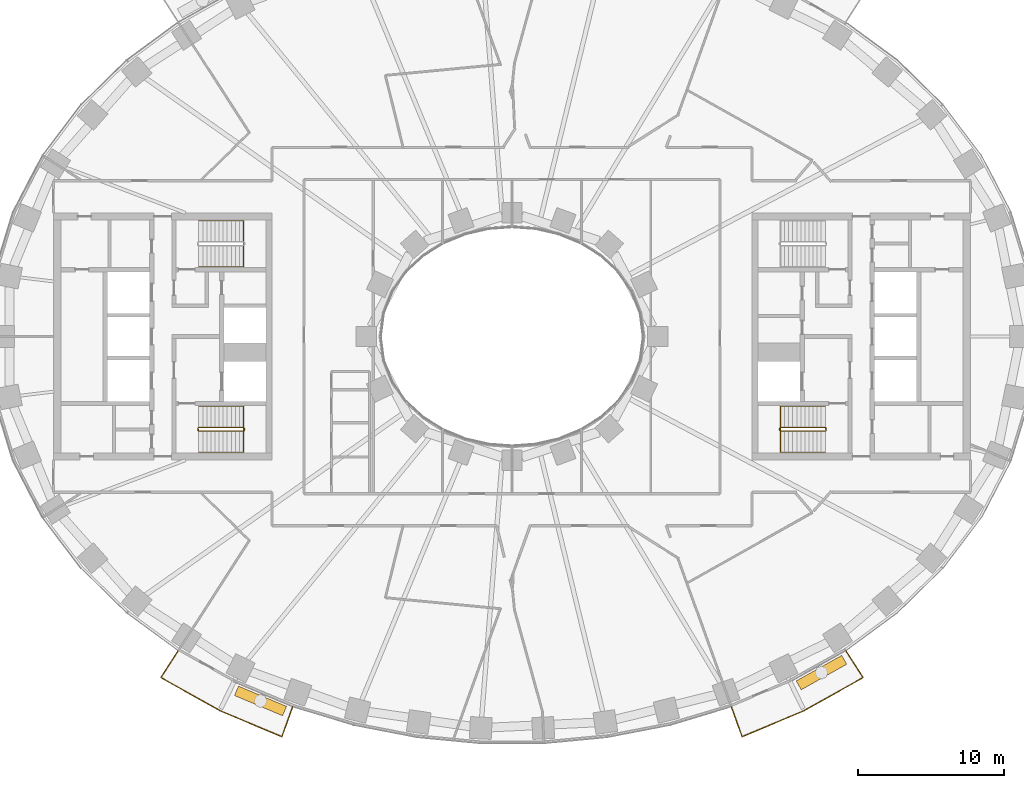
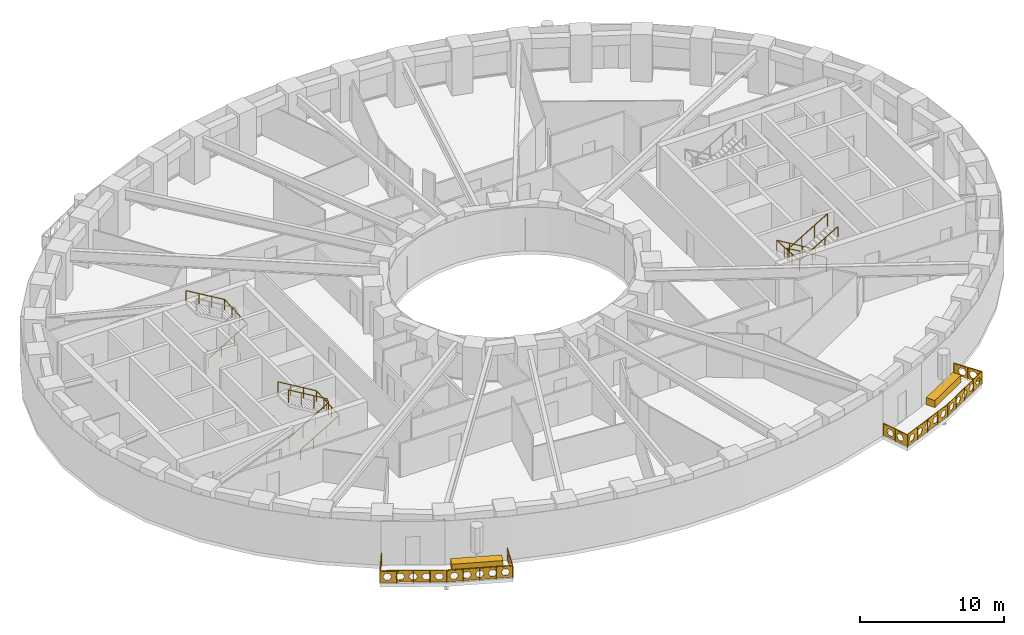
# One storey, part 13 of 15: 7 railings, 2 coverings.
"""IFC4 building model written with IfcOpenShell, lengths in metres."""

from ifc_helpers import new_model, si_unit, direction, frame, origin, origin_2d, place, context, subcontext, project, spatial, polyline, rectangle, outline, extrude, material, type_object, element, save


model = new_model("IFC4")

# Units and contexts
model_context = context("Model", 3, precision=1e-05, world=origin(), true_north=direction((0.0, 1.0)))
body_context = subcontext(model_context, "Body", "Model", "MODEL_VIEW")
ifc_project = project(units=[si_unit("LENGTHUNIT", "METRE"), si_unit("AREAUNIT", "SQUARE_METRE"), si_unit("VOLUMEUNIT", "CUBIC_METRE"), si_unit("PLANEANGLEUNIT", "RADIAN"), si_unit("MASSUNIT", "GRAM", prefix="KILO")], contexts=[model_context])

# Site, building, storey
site_placement = place(None, origin())
site = spatial("IfcSite", under=ifc_project, at=site_placement, CompositionType="ELEMENT")
building_placement = place(site_placement, origin())
building = spatial("IfcBuilding", under=site, at=building_placement, Name="Noorbagh Ring Tower", CompositionType="ELEMENT")
storey_placement = place(building_placement, frame((0.0, 0.0, 50.5)))
storey = spatial("IfcBuildingStorey", under=building, at=storey_placement, Name="L10", CompositionType="ELEMENT", Elevation=50.5)

# Railings
ifc_material_1 = material(Name="Stainless steel", Category="steel")
railing_type_1 = type_object("IfcRailingType", Name="CORE-STAIR-GUARD", PredefinedType="GUARDRAIL", material=ifc_material_1)
railing_1_placement = place(storey_placement, frame((-21.580078125, -6.449951171875, 0.0)))
element("IfcRailing", 1, at=railing_1_placement, inside=storey, type_object=railing_type_1, Name="L10 ST2 stair guard", PredefinedType="GUARDRAIL", context=body_context, shape_type="SweptSolid", body=[
    extrude(rectangle(XDim=0.048095703125, YDim=0.048095703125, at=origin_2d()), frame((0.0, 0.0, 1.076171875), z_axis=(0.0, 1.0, 0.0), x_axis=(-1.0, 0.0, 0.0)), (0.0, 0.0, 1.0), 0.14990234375),
    extrude(rectangle(XDim=0.048095703125, YDim=0.048095703125, at=origin_2d()), frame((0.0, 0.14990234375, 1.076171875), z_axis=(0.188775798145, -0.754182335027, 0.628945707965), x_axis=(0.970072785993, 0.242814311512, 0.0)), (0.0, 0.0, 1.0), 0.26513671875),
    extrude(rectangle(XDim=0.048095703125, YDim=0.048095703125, at=origin_2d()), frame((0.050048828125, -0.050048828125, 1.24267578125), z_axis=(0.859308565015, 0.0, 0.511457515432), x_axis=(0.0, 1.0, 0.0)), (0.0, 0.0, 1.0), 3.58447265625),
    extrude(rectangle(XDim=0.048095703125, YDim=0.048095703125, at=origin_2d()), frame((3.130126953125, -0.050048828125, 3.076171875), z_axis=(0.707106781187, 0.707106781187, 0.0), x_axis=(-0.707106781187, 0.707106781187, 0.0)), (0.0, 0.0, 1.0), 0.07080078125),
    extrude(rectangle(XDim=0.048095703125, YDim=0.048095703125, at=origin_2d()), frame((3.18017578125, 0.0, 3.076171875), z_axis=(0.0, 1.0, 0.0), x_axis=(-1.0, 0.0, 0.0)), (0.0, 0.0, 1.0), 0.14990234375),
    extrude(rectangle(XDim=0.048095703125, YDim=0.048095703125, at=origin_2d()), frame((3.18017578125, 0.14990234375, 3.076171875), z_axis=(-0.27628659633, 0.27628659633, 0.920506074601), x_axis=(-0.707106781187, -0.707106781187, 0.0)), (0.0, 0.0, 1.0), 0.18115234375),
    extrude(rectangle(XDim=0.048095703125, YDim=0.048095703125, at=origin_2d()), frame((3.130126953125, 0.199951171875, 3.24267578125), z_axis=(-0.859308565015, 0.0, 0.511457515432), x_axis=(0.0, -1.0, 0.0)), (0.0, 0.0, 1.0), 3.58447265625),
    extrude(rectangle(XDim=0.0419921875, YDim=0.0419921875, at=origin_2d()), origin(), (0.0, 0.0, 1.0), 1.052001953125),
    extrude(rectangle(XDim=0.0419921875, YDim=0.0419921875, at=origin_2d()), frame((1.07666015625, -0.050048828125, 0.77783203125)), (0.0, 0.0, 1.0), 1.052001953125),
    extrude(rectangle(XDim=0.0419921875, YDim=0.0419921875, at=origin_2d()), frame((2.103515625, -0.050048828125, 1.388916015625)), (0.0, 0.0, 1.0), 1.052001953125),
    extrude(rectangle(XDim=0.0419921875, YDim=0.0419921875, at=origin_2d()), frame((3.130126953125, -0.050048828125, 2.0)), (0.0, 0.0, 1.0), 1.052001953125),
    extrude(rectangle(XDim=0.0419921875, YDim=0.0419921875, at=origin_2d()), frame((3.130126953125, 0.199951171875, 2.166748046875)), (0.0, 0.0, 1.0), 1.052001953125),
    extrude(rectangle(XDim=0.0419921875, YDim=0.0419921875, at=origin_2d()), frame((2.103515625, 0.199951171875, 2.77783203125)), (0.0, 0.0, 1.0), 1.052001953125),
    extrude(rectangle(XDim=0.0419921875, YDim=0.0419921875, at=origin_2d()), frame((1.07666015625, 0.199951171875, 3.388916015625)), (0.0, 0.0, 1.0), 1.052001953125),
    extrude(rectangle(XDim=0.0419921875, YDim=0.0419921875, at=origin_2d()), frame((0.050048828125, 0.199951171875, 4.0)), (0.0, 0.0, 1.0), 1.052001953125),
])
railing_2_placement = place(storey_placement, frame((21.580078125, -6.300048828125, 0.0)))
element("IfcRailing", 2, at=railing_2_placement, inside=storey, type_object=railing_type_1, Name="L10 ST4 stair guard", PredefinedType="GUARDRAIL", context=body_context, shape_type="SweptSolid", body=[
    extrude(rectangle(XDim=0.048095703125, YDim=0.048095703125, at=origin_2d()), frame((0.0, 0.0, 1.076171875), z_axis=(0.0, -1.0, 0.0), x_axis=(1.0, 0.0, 0.0)), (0.0, 0.0, 1.0), 0.14990234375),
    extrude(rectangle(XDim=0.048095703125, YDim=0.048095703125, at=origin_2d()), frame((0.0, -0.14990234375, 1.076171875), z_axis=(-0.188775798145, 0.754182335027, 0.628945707965), x_axis=(-0.970072785993, -0.242814311512, 0.0)), (0.0, 0.0, 1.0), 0.26513671875),
    extrude(rectangle(XDim=0.048095703125, YDim=0.048095703125, at=origin_2d()), frame((-0.050048828125, 0.050048828125, 1.24267578125), z_axis=(-0.859308565015, 0.0, 0.511457515432), x_axis=(0.0, -1.0, 0.0)), (0.0, 0.0, 1.0), 3.58447265625),
    extrude(rectangle(XDim=0.048095703125, YDim=0.048095703125, at=origin_2d()), frame((-3.130126953125, 0.050048828125, 3.076171875), z_axis=(-0.707106781187, -0.707106781187, 0.0), x_axis=(0.707106781187, -0.707106781187, 0.0)), (0.0, 0.0, 1.0), 0.07080078125),
    extrude(rectangle(XDim=0.048095703125, YDim=0.048095703125, at=origin_2d()), frame((-3.18017578125, 0.0, 3.076171875), z_axis=(0.0, -1.0, 0.0), x_axis=(1.0, 0.0, 0.0)), (0.0, 0.0, 1.0), 0.14990234375),
    extrude(rectangle(XDim=0.048095703125, YDim=0.048095703125, at=origin_2d()), frame((-3.18017578125, -0.14990234375, 3.076171875), z_axis=(0.27628659633, -0.27628659633, 0.920506074601), x_axis=(0.707106781187, 0.707106781187, 0.0)), (0.0, 0.0, 1.0), 0.18115234375),
    extrude(rectangle(XDim=0.048095703125, YDim=0.048095703125, at=origin_2d()), frame((-3.130126953125, -0.199951171875, 3.24267578125), z_axis=(0.859308565015, 0.0, 0.511457515432), x_axis=(0.0, 1.0, 0.0)), (0.0, 0.0, 1.0), 3.58447265625),
    extrude(rectangle(XDim=0.0419921875, YDim=0.0419921875, at=origin_2d()), origin(), (0.0, 0.0, 1.0), 1.052001953125),
    extrude(rectangle(XDim=0.0419921875, YDim=0.0419921875, at=origin_2d()), frame((-1.07666015625, 0.050048828125, 0.77783203125)), (0.0, 0.0, 1.0), 1.052001953125),
    extrude(rectangle(XDim=0.0419921875, YDim=0.0419921875, at=origin_2d()), frame((-2.103515625, 0.050048828125, 1.388916015625)), (0.0, 0.0, 1.0), 1.052001953125),
    extrude(rectangle(XDim=0.0419921875, YDim=0.0419921875, at=origin_2d()), frame((-3.130126953125, 0.050048828125, 2.0)), (0.0, 0.0, 1.0), 1.052001953125),
    extrude(rectangle(XDim=0.0419921875, YDim=0.0419921875, at=origin_2d()), frame((-3.130126953125, -0.199951171875, 2.166748046875)), (0.0, 0.0, 1.0), 1.052001953125),
    extrude(rectangle(XDim=0.0419921875, YDim=0.0419921875, at=origin_2d()), frame((-2.103515625, -0.199951171875, 2.77783203125)), (0.0, 0.0, 1.0), 1.052001953125),
    extrude(rectangle(XDim=0.0419921875, YDim=0.0419921875, at=origin_2d()), frame((-1.07666015625, -0.199951171875, 3.388916015625)), (0.0, 0.0, 1.0), 1.052001953125),
    extrude(rectangle(XDim=0.0419921875, YDim=0.0419921875, at=origin_2d()), frame((-0.050048828125, -0.199951171875, 4.0)), (0.0, 0.0, 1.0), 1.052001953125),
])
ifc_material_2 = material(Name="Stainless steel", Category="steel")
railing_type_2 = type_object("IfcRailingType", Name="CORE-STAIR-HANDRAIL", PredefinedType="HANDRAIL", material=ifc_material_2)
railing_3_placement = place(storey_placement, frame((-21.530029296875, 4.800048828125, 0.166748046875)))
element("IfcRailing", 3, at=railing_3_placement, inside=storey, type_object=railing_type_2, Name="L10 ST1 stair handrail", PredefinedType="HANDRAIL", context=body_context, shape_type="SweptSolid", body=[
    extrude(rectangle(XDim=0.048095703125, YDim=0.048095703125, at=origin_2d()), frame((0.0, 0.0, 0.8759765625), z_axis=(0.859308565015, 0.0, 0.511457515432), x_axis=(0.0, 1.0, 0.0)), (0.0, 0.0, 1.0), 3.58447265625),
    extrude(rectangle(XDim=0.048095703125, YDim=0.048095703125, at=origin_2d()), frame((3.080078125, 0.0, 2.708984375), z_axis=(0.0, 0.998601747152, 0.052863509014), x_axis=(-1.0, 0.0, 0.0)), (0.0, 0.0, 1.0), 3.154296875),
    extrude(rectangle(XDim=0.048095703125, YDim=0.048095703125, at=origin_2d()), frame((3.080078125, 3.14990234375, 2.8759765625), z_axis=(-0.859308565015, 0.0, 0.511457515432), x_axis=(0.0, -1.0, 0.0)), (0.0, 0.0, 1.0), 3.58447265625),
    extrude(rectangle(XDim=0.0419921875, YDim=0.0419921875, at=origin_2d()), origin(), (0.0, 0.0, 1.0), 0.851806640625),
    extrude(rectangle(XDim=0.0419921875, YDim=0.0419921875, at=origin_2d()), frame((1.026611328125, 0.0, 0.611083984375)), (0.0, 0.0, 1.0), 0.851806640625),
    extrude(rectangle(XDim=0.0419921875, YDim=0.0419921875, at=origin_2d()), frame((2.053466796875, 0.0, 1.22216796875)), (0.0, 0.0, 1.0), 0.851806640625),
    extrude(rectangle(XDim=0.0419921875, YDim=0.0419921875, at=origin_2d()), frame((3.080078125, 0.0, 1.833251953125)), (0.0, 0.0, 1.0), 0.851806640625),
    extrude(rectangle(XDim=0.0419921875, YDim=0.0419921875, at=origin_2d()), frame((3.080078125, 1.050048828125, 1.888916015625)), (0.0, 0.0, 1.0), 0.851806640625),
    extrude(rectangle(XDim=0.0419921875, YDim=0.0419921875, at=origin_2d()), frame((3.080078125, 2.099853515625, 1.9443359375)), (0.0, 0.0, 1.0), 0.851806640625),
    extrude(rectangle(XDim=0.0419921875, YDim=0.0419921875, at=origin_2d()), frame((3.080078125, 3.14990234375, 2.0)), (0.0, 0.0, 1.0), 0.851806640625),
    extrude(rectangle(XDim=0.0419921875, YDim=0.0419921875, at=origin_2d()), frame((2.053466796875, 3.14990234375, 2.611083984375)), (0.0, 0.0, 1.0), 0.851806640625),
    extrude(rectangle(XDim=0.0419921875, YDim=0.0419921875, at=origin_2d()), frame((1.026611328125, 3.14990234375, 3.22216796875)), (0.0, 0.0, 1.0), 0.851806640625),
    extrude(rectangle(XDim=0.0419921875, YDim=0.0419921875, at=origin_2d()), frame((0.0, 3.14990234375, 3.833251953125)), (0.0, 0.0, 1.0), 0.851806640625),
])
railing_4_placement = place(storey_placement, frame((-21.530029296875, -7.949951171875, 0.166748046875)))
element("IfcRailing", 4, at=railing_4_placement, inside=storey, type_object=railing_type_2, Name="L10 ST2 stair handrail", PredefinedType="HANDRAIL", context=body_context, shape_type="SweptSolid", body=[
    extrude(rectangle(XDim=0.048095703125, YDim=0.048095703125, at=origin_2d()), frame((0.0, 0.0, 0.8759765625), z_axis=(0.859308565015, 0.0, 0.511457515432), x_axis=(0.0, 1.0, 0.0)), (0.0, 0.0, 1.0), 3.58447265625),
    extrude(rectangle(XDim=0.048095703125, YDim=0.048095703125, at=origin_2d()), frame((3.080078125, 0.0, 2.708984375), z_axis=(0.0, 0.998601747152, 0.052863509014), x_axis=(-1.0, 0.0, 0.0)), (0.0, 0.0, 1.0), 3.154296875),
    extrude(rectangle(XDim=0.048095703125, YDim=0.048095703125, at=origin_2d()), frame((3.080078125, 3.14990234375, 2.8759765625), z_axis=(-0.859308565015, 0.0, 0.511457515432), x_axis=(0.0, -1.0, 0.0)), (0.0, 0.0, 1.0), 3.58447265625),
    extrude(rectangle(XDim=0.0419921875, YDim=0.0419921875, at=origin_2d()), origin(), (0.0, 0.0, 1.0), 0.851806640625),
    extrude(rectangle(XDim=0.0419921875, YDim=0.0419921875, at=origin_2d()), frame((1.026611328125, 0.0, 0.611083984375)), (0.0, 0.0, 1.0), 0.851806640625),
    extrude(rectangle(XDim=0.0419921875, YDim=0.0419921875, at=origin_2d()), frame((2.053466796875, 0.0, 1.22216796875)), (0.0, 0.0, 1.0), 0.851806640625),
    extrude(rectangle(XDim=0.0419921875, YDim=0.0419921875, at=origin_2d()), frame((3.080078125, 0.0, 1.833251953125)), (0.0, 0.0, 1.0), 0.851806640625),
    extrude(rectangle(XDim=0.0419921875, YDim=0.0419921875, at=origin_2d()), frame((3.080078125, 1.050048828125, 1.888916015625)), (0.0, 0.0, 1.0), 0.851806640625),
    extrude(rectangle(XDim=0.0419921875, YDim=0.0419921875, at=origin_2d()), frame((3.080078125, 2.099853515625, 1.9443359375)), (0.0, 0.0, 1.0), 0.851806640625),
    extrude(rectangle(XDim=0.0419921875, YDim=0.0419921875, at=origin_2d()), frame((3.080078125, 3.14990234375, 2.0)), (0.0, 0.0, 1.0), 0.851806640625),
    extrude(rectangle(XDim=0.0419921875, YDim=0.0419921875, at=origin_2d()), frame((2.053466796875, 3.14990234375, 2.611083984375)), (0.0, 0.0, 1.0), 0.851806640625),
    extrude(rectangle(XDim=0.0419921875, YDim=0.0419921875, at=origin_2d()), frame((1.026611328125, 3.14990234375, 3.22216796875)), (0.0, 0.0, 1.0), 0.851806640625),
    extrude(rectangle(XDim=0.0419921875, YDim=0.0419921875, at=origin_2d()), frame((0.0, 3.14990234375, 3.833251953125)), (0.0, 0.0, 1.0), 0.851806640625),
])
railing_5_placement = place(storey_placement, frame((21.530029296875, -4.800048828125, 0.166748046875)))
element("IfcRailing", 5, at=railing_5_placement, inside=storey, type_object=railing_type_2, Name="L10 ST4 stair handrail", PredefinedType="HANDRAIL", context=body_context, shape_type="SweptSolid", body=[
    extrude(rectangle(XDim=0.048095703125, YDim=0.048095703125, at=origin_2d()), frame((0.0, 0.0, 0.8759765625), z_axis=(-0.859308565015, 0.0, 0.511457515432), x_axis=(0.0, -1.0, 0.0)), (0.0, 0.0, 1.0), 3.58447265625),
    extrude(rectangle(XDim=0.048095703125, YDim=0.048095703125, at=origin_2d()), frame((-3.080078125, 0.0, 2.708984375), z_axis=(0.0, -0.998601747152, 0.052863509014), x_axis=(1.0, 0.0, 0.0)), (0.0, 0.0, 1.0), 3.154296875),
    extrude(rectangle(XDim=0.048095703125, YDim=0.048095703125, at=origin_2d()), frame((-3.080078125, -3.14990234375, 2.8759765625), z_axis=(0.859308565015, 0.0, 0.511457515432), x_axis=(0.0, 1.0, 0.0)), (0.0, 0.0, 1.0), 3.58447265625),
    extrude(rectangle(XDim=0.0419921875, YDim=0.0419921875, at=origin_2d()), origin(), (0.0, 0.0, 1.0), 0.851806640625),
    extrude(rectangle(XDim=0.0419921875, YDim=0.0419921875, at=origin_2d()), frame((-1.026611328125, 0.0, 0.611083984375)), (0.0, 0.0, 1.0), 0.851806640625),
    extrude(rectangle(XDim=0.0419921875, YDim=0.0419921875, at=origin_2d()), frame((-2.053466796875, 0.0, 1.22216796875)), (0.0, 0.0, 1.0), 0.851806640625),
    extrude(rectangle(XDim=0.0419921875, YDim=0.0419921875, at=origin_2d()), frame((-3.080078125, 0.0, 1.833251953125)), (0.0, 0.0, 1.0), 0.851806640625),
    extrude(rectangle(XDim=0.0419921875, YDim=0.0419921875, at=origin_2d()), frame((-3.080078125, -1.050048828125, 1.888916015625)), (0.0, 0.0, 1.0), 0.851806640625),
    extrude(rectangle(XDim=0.0419921875, YDim=0.0419921875, at=origin_2d()), frame((-3.080078125, -2.099853515625, 1.9443359375)), (0.0, 0.0, 1.0), 0.851806640625),
    extrude(rectangle(XDim=0.0419921875, YDim=0.0419921875, at=origin_2d()), frame((-3.080078125, -3.14990234375, 2.0)), (0.0, 0.0, 1.0), 0.851806640625),
    extrude(rectangle(XDim=0.0419921875, YDim=0.0419921875, at=origin_2d()), frame((-2.053466796875, -3.14990234375, 2.611083984375)), (0.0, 0.0, 1.0), 0.851806640625),
    extrude(rectangle(XDim=0.0419921875, YDim=0.0419921875, at=origin_2d()), frame((-1.026611328125, -3.14990234375, 3.22216796875)), (0.0, 0.0, 1.0), 0.851806640625),
    extrude(rectangle(XDim=0.0419921875, YDim=0.0419921875, at=origin_2d()), frame((0.0, -3.14990234375, 3.833251953125)), (0.0, 0.0, 1.0), 0.851806640625),
])
ifc_material_3 = material(Name="Steel S275 black powder-coated", Category="steel")
railing_type_3 = type_object("IfcRailingType", Name="ENV-GUARD", PredefinedType="GUARDRAIL", material=ifc_material_3)
railing_6_placement = place(storey_placement, frame((-22.9326171875, -21.583740234375, 0.0)))
element("IfcRailing", 6, at=railing_6_placement, inside=storey, type_object=railing_type_3, Name="Balcony guard BS02", PredefinedType="GUARDRAIL", context=body_context, shape_type="SweptSolid", body=[
    extrude(rectangle(XDim=0.048095703125, YDim=0.048095703125, at=origin_2d()), frame((0.0, 0.0, 1.076171875), z_axis=(-0.542268136821, -0.840205491406, 0.0), x_axis=(0.840205491406, -0.542268136821, 0.0)), (0.0, 0.0, 1.0), 2.204345703125),
    extrude(rectangle(XDim=0.048095703125, YDim=0.048095703125, at=origin_2d()), frame((-1.1953125, -1.85205078125, 1.076171875), z_axis=(0.872052247658, -0.489412788303, 0.0), x_axis=(0.489412788303, 0.872052247658, 0.0)), (0.0, 0.0, 1.0), 4.646240234375),
    extrude(rectangle(XDim=0.048095703125, YDim=0.048095703125, at=origin_2d()), frame((2.8564453125, -4.1259765625, 1.076171875), z_axis=(0.921809087722, -0.387644174203, 0.0), x_axis=(0.387644174203, 0.921809087722, 0.0)), (0.0, 0.0, 1.0), 4.627197265625),
    extrude(rectangle(XDim=0.048095703125, YDim=0.048095703125, at=origin_2d()), frame((7.121826171875, -5.919677734375, 1.076171875), z_axis=(0.338350546839, 0.941020141896, 0.0), x_axis=(-0.941020141896, 0.338350546839, 0.0)), (0.0, 0.0, 1.0), 2.202880859375),
    extrude(rectangle(XDim=0.0419921875, YDim=0.0419921875, at=origin_2d()), origin(), (0.0, 0.0, 1.0), 1.052001953125),
    extrude(rectangle(XDim=0.0419921875, YDim=0.0419921875, at=origin_2d()), frame((-0.59765625, -0.926025390625, 0.0)), (0.0, 0.0, 1.0), 1.052001953125),
    extrude(rectangle(XDim=0.0419921875, YDim=0.0419921875, at=origin_2d()), frame((-1.1953125, -1.85205078125, 0.0)), (0.0, 0.0, 1.0), 1.052001953125),
    extrude(rectangle(XDim=0.0419921875, YDim=0.0419921875, at=origin_2d()), frame((-0.182373046875, -2.42041015625, 0.0)), (0.0, 0.0, 1.0), 1.052001953125),
    extrude(rectangle(XDim=0.0419921875, YDim=0.0419921875, at=origin_2d()), frame((0.83056640625, -2.989013671875, 0.0)), (0.0, 0.0, 1.0), 1.052001953125),
    extrude(rectangle(XDim=0.0419921875, YDim=0.0419921875, at=origin_2d()), frame((1.843505859375, -3.5576171875, 0.0)), (0.0, 0.0, 1.0), 1.052001953125),
    extrude(rectangle(XDim=0.0419921875, YDim=0.0419921875, at=origin_2d()), frame((2.8564453125, -4.1259765625, 0.0)), (0.0, 0.0, 1.0), 1.052001953125),
    extrude(rectangle(XDim=0.0419921875, YDim=0.0419921875, at=origin_2d()), frame((3.9228515625, -4.574462890625, 0.0)), (0.0, 0.0, 1.0), 1.052001953125),
    extrude(rectangle(XDim=0.0419921875, YDim=0.0419921875, at=origin_2d()), frame((4.9892578125, -5.02294921875, 0.0)), (0.0, 0.0, 1.0), 1.052001953125),
    extrude(rectangle(XDim=0.0419921875, YDim=0.0419921875, at=origin_2d()), frame((6.055419921875, -5.47119140625, 0.0)), (0.0, 0.0, 1.0), 1.052001953125),
    extrude(rectangle(XDim=0.0419921875, YDim=0.0419921875, at=origin_2d()), frame((7.121826171875, -5.919677734375, 0.0)), (0.0, 0.0, 1.0), 1.052001953125),
    extrude(rectangle(XDim=0.0419921875, YDim=0.0419921875, at=origin_2d()), frame((7.49462890625, -4.88330078125, 0.0)), (0.0, 0.0, 1.0), 1.052001953125),
    extrude(rectangle(XDim=0.0419921875, YDim=0.0419921875, at=origin_2d()), frame((7.8671875, -3.8466796875, 0.0)), (0.0, 0.0, 1.0), 1.052001953125),
    extrude(outline(polyline([(0.0, 0.10009765625), (2.204345703125, 0.10009765625), (2.204345703125, 1.031982421875), (0.0, 1.031982421875), (0.0, 0.10009765625)]), holes=[polyline([(0.962158203125, 0.56591796875), (0.80712890625, 0.83447265625), (0.4970703125, 0.83447265625), (0.342041015625, 0.56591796875), (0.4970703125, 0.297607421875), (0.80712890625, 0.297607421875), (0.962158203125, 0.56591796875)]), polyline([(1.862060546875, 0.56591796875), (1.70703125, 0.83447265625), (1.397216796875, 0.83447265625), (1.2421875, 0.56591796875), (1.397216796875, 0.297607421875), (1.70703125, 0.297607421875), (1.862060546875, 0.56591796875)])]), frame((0.00830078125, -0.00537109375, 0.0), z_axis=(-0.840205491406, 0.542268136821, 0.0), x_axis=(-0.542268136821, -0.840205491406, 0.0)), (0.0, 0.0, 1.0), 0.02001953125),
    extrude(outline(polyline([(0.0, 0.10009765625), (4.646240234375, 0.10009765625), (4.646240234375, 1.031982421875), (0.0, 1.031982421875), (0.0, 0.10009765625)]), holes=[polyline([(0.8330078125, 0.56591796875), (0.67822265625, 0.83447265625), (0.3681640625, 0.83447265625), (0.213134765625, 0.56591796875), (0.3681640625, 0.297607421875), (0.67822265625, 0.297607421875), (0.8330078125, 0.56591796875)]), polyline([(1.733154296875, 0.56591796875), (1.578125, 0.83447265625), (1.26806640625, 0.83447265625), (1.113037109375, 0.56591796875), (1.26806640625, 0.297607421875), (1.578125, 0.297607421875), (1.733154296875, 0.56591796875)]), polyline([(2.633056640625, 0.56591796875), (2.47802734375, 0.83447265625), (2.168212890625, 0.83447265625), (2.01318359375, 0.56591796875), (2.168212890625, 0.297607421875), (2.47802734375, 0.297607421875), (2.633056640625, 0.56591796875)]), polyline([(3.533203125, 0.56591796875), (3.378173828125, 0.83447265625), (3.068115234375, 0.83447265625), (2.9130859375, 0.56591796875), (3.068115234375, 0.297607421875), (3.378173828125, 0.297607421875), (3.533203125, 0.56591796875)]), polyline([(4.43310546875, 0.56591796875), (4.278076171875, 0.83447265625), (3.968017578125, 0.83447265625), (3.813232421875, 0.56591796875), (3.968017578125, 0.297607421875), (4.278076171875, 0.297607421875), (4.43310546875, 0.56591796875)])]), frame((-1.1904296875, -1.84326171875, 0.0), z_axis=(-0.489412788303, -0.872052247658, 0.0), x_axis=(0.872052247658, -0.489412788303, 0.0)), (0.0, 0.0, 1.0), 0.02001953125),
    extrude(outline(polyline([(0.0, 0.10009765625), (4.627197265625, 0.10009765625), (4.627197265625, 1.031982421875), (0.0, 1.031982421875), (0.0, 0.10009765625)]), holes=[polyline([(0.823486328125, 0.56591796875), (0.668701171875, 0.83447265625), (0.358642578125, 0.83447265625), (0.20361328125, 0.56591796875), (0.358642578125, 0.297607421875), (0.668701171875, 0.297607421875), (0.823486328125, 0.56591796875)]), polyline([(1.7236328125, 0.56591796875), (1.568603515625, 0.83447265625), (1.258544921875, 0.83447265625), (1.103515625, 0.56591796875), (1.258544921875, 0.297607421875), (1.568603515625, 0.297607421875), (1.7236328125, 0.56591796875)]), polyline([(2.62353515625, 0.56591796875), (2.468505859375, 0.83447265625), (2.15869140625, 0.83447265625), (2.003662109375, 0.56591796875), (2.15869140625, 0.297607421875), (2.468505859375, 0.297607421875), (2.62353515625, 0.56591796875)]), polyline([(3.523681640625, 0.56591796875), (3.36865234375, 0.83447265625), (3.05859375, 0.83447265625), (2.903564453125, 0.56591796875), (3.05859375, 0.297607421875), (3.36865234375, 0.297607421875), (3.523681640625, 0.56591796875)]), polyline([(4.423583984375, 0.56591796875), (4.2685546875, 0.83447265625), (3.95849609375, 0.83447265625), (3.8037109375, 0.56591796875), (3.95849609375, 0.297607421875), (4.2685546875, 0.297607421875), (4.423583984375, 0.56591796875)])]), frame((2.8603515625, -4.11669921875, 0.0), z_axis=(-0.387644174203, -0.921809087722, 0.0), x_axis=(0.921809087722, -0.387644174203, 0.0)), (0.0, 0.0, 1.0), 0.02001953125),
    extrude(outline(polyline([(0.0, 0.10009765625), (2.202880859375, 0.10009765625), (2.202880859375, 1.031982421875), (0.0, 1.031982421875), (0.0, 0.10009765625)]), holes=[polyline([(0.96142578125, 0.56591796875), (0.806396484375, 0.83447265625), (0.49658203125, 0.83447265625), (0.341552734375, 0.56591796875), (0.49658203125, 0.297607421875), (0.806396484375, 0.297607421875), (0.96142578125, 0.56591796875)]), polyline([(1.861572265625, 0.56591796875), (1.70654296875, 0.83447265625), (1.396484375, 0.83447265625), (1.241455078125, 0.56591796875), (1.396484375, 0.297607421875), (1.70654296875, 0.297607421875), (1.861572265625, 0.56591796875)])]), frame((7.1123046875, -5.916259765625, 0.0), z_axis=(0.941020141896, -0.338350546839, 0.0), x_axis=(0.338350546839, 0.941020141896, 0.0)), (0.0, 0.0, 1.0), 0.02001953125),
])
railing_7_placement = place(storey_placement, frame((15.0654296875, -25.430419921875, 0.0)))
element("IfcRailing", 7, at=railing_7_placement, inside=storey, type_object=railing_type_3, Name="Balcony guard BS05", PredefinedType="GUARDRAIL", context=body_context, shape_type="SweptSolid", body=[
    extrude(rectangle(XDim=0.048095703125, YDim=0.048095703125, at=origin_2d()), frame((0.0, 0.0, 1.076171875), z_axis=(0.338350546839, -0.941020141896, 0.0), x_axis=(0.941020141896, 0.338350546839, 0.0)), (0.0, 0.0, 1.0), 2.202880859375),
    extrude(rectangle(XDim=0.048095703125, YDim=0.048095703125, at=origin_2d()), frame((0.745361328125, -2.072998046875, 1.076171875), z_axis=(0.921809087722, 0.387644174203, 0.0), x_axis=(-0.387644174203, 0.921809087722, 0.0)), (0.0, 0.0, 1.0), 4.627197265625),
    extrude(rectangle(XDim=0.048095703125, YDim=0.048095703125, at=origin_2d()), frame((5.0107421875, -0.279296875, 1.076171875), z_axis=(0.872052247658, 0.489412788303, 0.0), x_axis=(-0.489412788303, 0.872052247658, 0.0)), (0.0, 0.0, 1.0), 4.646240234375),
    extrude(rectangle(XDim=0.048095703125, YDim=0.048095703125, at=origin_2d()), frame((9.0625, 1.99462890625, 1.076171875), z_axis=(-0.542268136821, 0.840205491406, 0.0), x_axis=(-0.840205491406, -0.542268136821, 0.0)), (0.0, 0.0, 1.0), 2.204345703125),
    extrude(rectangle(XDim=0.0419921875, YDim=0.0419921875, at=origin_2d()), origin(), (0.0, 0.0, 1.0), 1.052001953125),
    extrude(rectangle(XDim=0.0419921875, YDim=0.0419921875, at=origin_2d()), frame((0.37255859375, -1.03662109375, 0.0)), (0.0, 0.0, 1.0), 1.052001953125),
    extrude(rectangle(XDim=0.0419921875, YDim=0.0419921875, at=origin_2d()), frame((0.745361328125, -2.072998046875, 0.0)), (0.0, 0.0, 1.0), 1.052001953125),
    extrude(rectangle(XDim=0.0419921875, YDim=0.0419921875, at=origin_2d()), frame((1.811767578125, -1.62451171875, 0.0)), (0.0, 0.0, 1.0), 1.052001953125),
    extrude(rectangle(XDim=0.0419921875, YDim=0.0419921875, at=origin_2d()), frame((2.8779296875, -1.17626953125, 0.0)), (0.0, 0.0, 1.0), 1.052001953125),
    extrude(rectangle(XDim=0.0419921875, YDim=0.0419921875, at=origin_2d()), frame((3.9443359375, -0.727783203125, 0.0)), (0.0, 0.0, 1.0), 1.052001953125),
    extrude(rectangle(XDim=0.0419921875, YDim=0.0419921875, at=origin_2d()), frame((5.0107421875, -0.279296875, 0.0)), (0.0, 0.0, 1.0), 1.052001953125),
    extrude(rectangle(XDim=0.0419921875, YDim=0.0419921875, at=origin_2d()), frame((6.023681640625, 0.2890625, 0.0)), (0.0, 0.0, 1.0), 1.052001953125),
    extrude(rectangle(XDim=0.0419921875, YDim=0.0419921875, at=origin_2d()), frame((7.03662109375, 0.857666015625, 0.0)), (0.0, 0.0, 1.0), 1.052001953125),
    extrude(rectangle(XDim=0.0419921875, YDim=0.0419921875, at=origin_2d()), frame((8.049560546875, 1.42626953125, 0.0)), (0.0, 0.0, 1.0), 1.052001953125),
    extrude(rectangle(XDim=0.0419921875, YDim=0.0419921875, at=origin_2d()), frame((9.0625, 1.99462890625, 0.0)), (0.0, 0.0, 1.0), 1.052001953125),
    extrude(rectangle(XDim=0.0419921875, YDim=0.0419921875, at=origin_2d()), frame((8.46484375, 2.920654296875, 0.0)), (0.0, 0.0, 1.0), 1.052001953125),
    extrude(rectangle(XDim=0.0419921875, YDim=0.0419921875, at=origin_2d()), frame((7.8671875, 3.8466796875, 0.0)), (0.0, 0.0, 1.0), 1.052001953125),
    extrude(outline(polyline([(0.0, 0.10009765625), (2.202880859375, 0.10009765625), (2.202880859375, 1.031982421875), (0.0, 1.031982421875), (0.0, 0.10009765625)]), holes=[polyline([(0.96142578125, 0.56591796875), (0.806396484375, 0.83447265625), (0.49658203125, 0.83447265625), (0.341552734375, 0.56591796875), (0.49658203125, 0.297607421875), (0.806396484375, 0.297607421875), (0.96142578125, 0.56591796875)]), polyline([(1.861572265625, 0.56591796875), (1.70654296875, 0.83447265625), (1.396484375, 0.83447265625), (1.241455078125, 0.56591796875), (1.396484375, 0.297607421875), (1.70654296875, 0.297607421875), (1.861572265625, 0.56591796875)])]), frame((0.009521484375, 0.00341796875, 0.0), z_axis=(-0.941020141896, -0.338350546839, 0.0), x_axis=(0.338350546839, -0.941020141896, 0.0)), (0.0, 0.0, 1.0), 0.02001953125),
    extrude(outline(polyline([(0.0, 0.10009765625), (4.627197265625, 0.10009765625), (4.627197265625, 1.031982421875), (0.0, 1.031982421875), (0.0, 0.10009765625)]), holes=[polyline([(0.823486328125, 0.56591796875), (0.668701171875, 0.83447265625), (0.358642578125, 0.83447265625), (0.20361328125, 0.56591796875), (0.358642578125, 0.297607421875), (0.668701171875, 0.297607421875), (0.823486328125, 0.56591796875)]), polyline([(1.7236328125, 0.56591796875), (1.568603515625, 0.83447265625), (1.258544921875, 0.83447265625), (1.103515625, 0.56591796875), (1.258544921875, 0.297607421875), (1.568603515625, 0.297607421875), (1.7236328125, 0.56591796875)]), polyline([(2.62353515625, 0.56591796875), (2.468505859375, 0.83447265625), (2.15869140625, 0.83447265625), (2.003662109375, 0.56591796875), (2.15869140625, 0.297607421875), (2.468505859375, 0.297607421875), (2.62353515625, 0.56591796875)]), polyline([(3.523681640625, 0.56591796875), (3.36865234375, 0.83447265625), (3.05859375, 0.83447265625), (2.903564453125, 0.56591796875), (3.05859375, 0.297607421875), (3.36865234375, 0.297607421875), (3.523681640625, 0.56591796875)]), polyline([(4.423583984375, 0.56591796875), (4.2685546875, 0.83447265625), (3.95849609375, 0.83447265625), (3.8037109375, 0.56591796875), (3.95849609375, 0.297607421875), (4.2685546875, 0.297607421875), (4.423583984375, 0.56591796875)])]), frame((0.741455078125, -2.063720703125, 0.0), z_axis=(0.387644174203, -0.921809087722, 0.0), x_axis=(0.921809087722, 0.387644174203, 0.0)), (0.0, 0.0, 1.0), 0.02001953125),
    extrude(outline(polyline([(0.0, 0.10009765625), (4.646240234375, 0.10009765625), (4.646240234375, 1.031982421875), (0.0, 1.031982421875), (0.0, 0.10009765625)]), holes=[polyline([(0.8330078125, 0.56591796875), (0.67822265625, 0.83447265625), (0.3681640625, 0.83447265625), (0.213134765625, 0.56591796875), (0.3681640625, 0.297607421875), (0.67822265625, 0.297607421875), (0.8330078125, 0.56591796875)]), polyline([(1.733154296875, 0.56591796875), (1.578125, 0.83447265625), (1.26806640625, 0.83447265625), (1.113037109375, 0.56591796875), (1.26806640625, 0.297607421875), (1.578125, 0.297607421875), (1.733154296875, 0.56591796875)]), polyline([(2.633056640625, 0.56591796875), (2.47802734375, 0.83447265625), (2.168212890625, 0.83447265625), (2.01318359375, 0.56591796875), (2.168212890625, 0.297607421875), (2.47802734375, 0.297607421875), (2.633056640625, 0.56591796875)]), polyline([(3.533203125, 0.56591796875), (3.378173828125, 0.83447265625), (3.068115234375, 0.83447265625), (2.9130859375, 0.56591796875), (3.068115234375, 0.297607421875), (3.378173828125, 0.297607421875), (3.533203125, 0.56591796875)]), polyline([(4.43310546875, 0.56591796875), (4.278076171875, 0.83447265625), (3.968017578125, 0.83447265625), (3.813232421875, 0.56591796875), (3.968017578125, 0.297607421875), (4.278076171875, 0.297607421875), (4.43310546875, 0.56591796875)])]), frame((5.005859375, -0.2705078125, 0.0), z_axis=(0.489412788303, -0.872052247658, 0.0), x_axis=(0.872052247658, 0.489412788303, 0.0)), (0.0, 0.0, 1.0), 0.02001953125),
    extrude(outline(polyline([(0.0, 0.10009765625), (2.204345703125, 0.10009765625), (2.204345703125, 1.031982421875), (0.0, 1.031982421875), (0.0, 0.10009765625)]), holes=[polyline([(0.962158203125, 0.56591796875), (0.80712890625, 0.83447265625), (0.4970703125, 0.83447265625), (0.342041015625, 0.56591796875), (0.4970703125, 0.297607421875), (0.80712890625, 0.297607421875), (0.962158203125, 0.56591796875)]), polyline([(1.862060546875, 0.56591796875), (1.70703125, 0.83447265625), (1.397216796875, 0.83447265625), (1.2421875, 0.56591796875), (1.397216796875, 0.297607421875), (1.70703125, 0.297607421875), (1.862060546875, 0.56591796875)])]), frame((9.05419921875, 1.9892578125, 0.0), z_axis=(0.840205491406, 0.542268136821, 0.0), x_axis=(-0.542268136821, 0.840205491406, 0.0)), (0.0, 0.0, 1.0), 0.02001953125),
])

# Coverings
ifc_material_4 = material(Name="Concrete C30/37 planter with soil", Category="concrete")
covering_type = type_object("IfcCoveringType", Name="ENV-PLANTER", PredefinedType="CLADDING", material=ifc_material_4)
covering_1_placement = place(storey_placement, frame((-17.280517578125, -25.041259765625, 0.0), z_axis=(0.0, 0.0, 1.0), x_axis=(0.921811566494, -0.387638279686, 0.0)))
element("IfcCovering", 8, at=covering_1_placement, inside=storey, type_object=covering_type, Name="PLANTER BS02", ObjectType="PLANTER", PredefinedType="CLADDING", context=body_context, shape_type="SweptSolid", body=[
    extrude(rectangle(XDim=3.5859375, YDim=0.699951171875, at=origin_2d()), origin(), (0.0, 0.0, 1.0), 0.60009765625),
])
covering_2_placement = place(storey_placement, frame((21.26513671875, -23.093017578125, 0.0), z_axis=(0.0, 0.0, 1.0), x_axis=(0.872044586249, 0.48942643941, 0.0)))
element("IfcCovering", 9, at=covering_2_placement, inside=storey, type_object=covering_type, Name="PLANTER BS05", ObjectType="PLANTER", PredefinedType="CLADDING", context=body_context, shape_type="SweptSolid", body=[
    extrude(rectangle(XDim=3.58544921875, YDim=0.699951171875, at=origin_2d()), origin(), (0.0, 0.0, 1.0), 0.60009765625),
])

save(model, "model.ifc")
